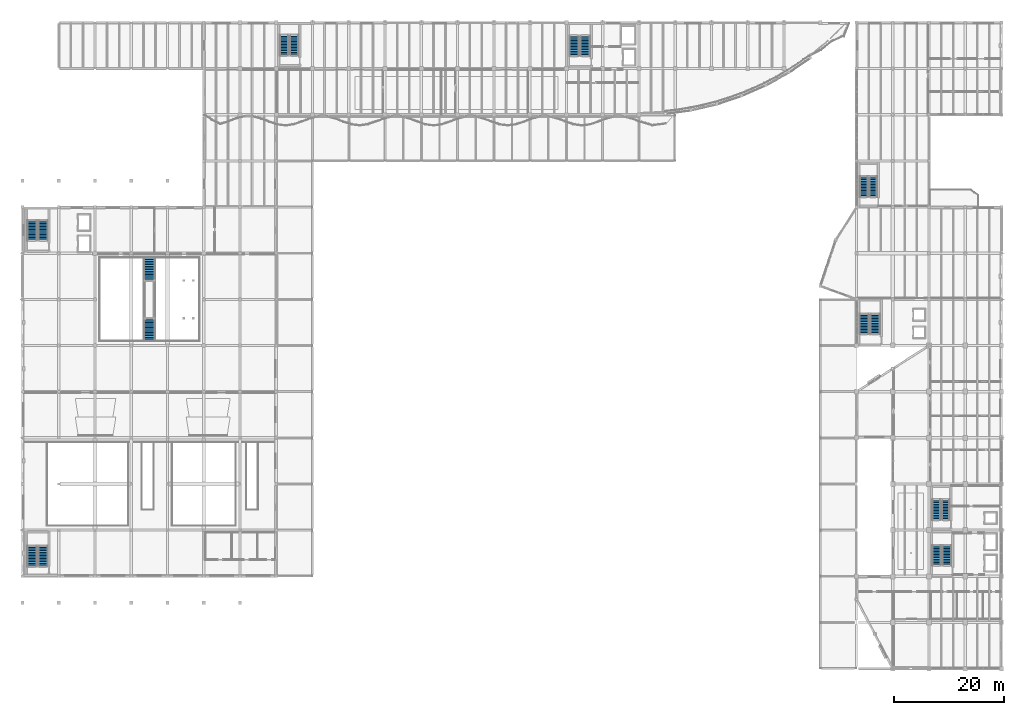
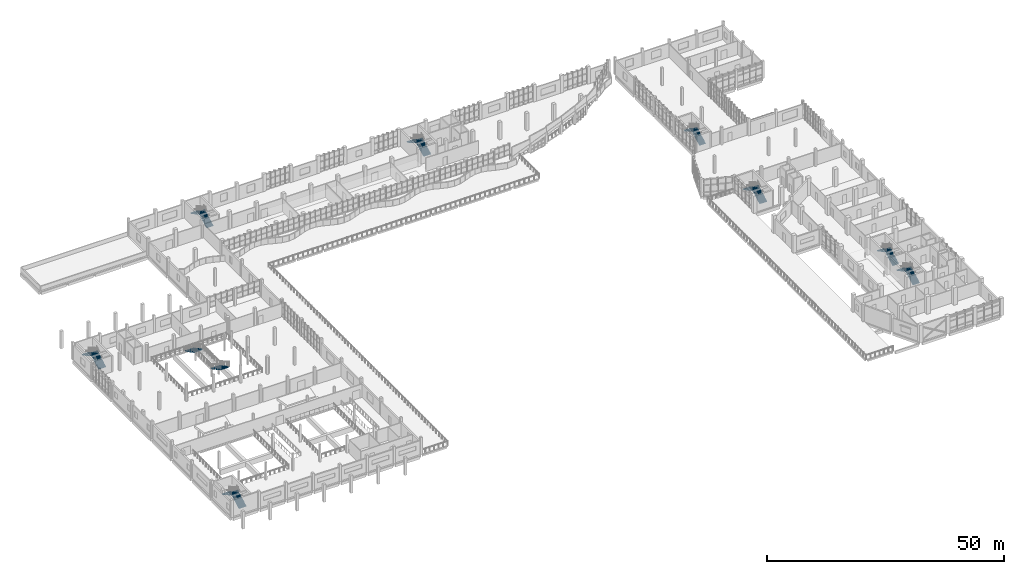
# One storey, part 60 of 83: 18 stair flights, 9 elements without a shape of their own.
"""IFC4 building model written with IfcOpenShell, lengths in metres."""

from ifc_helpers import new_model, si_unit, direction, frame, origin, place, context, subcontext, project, spatial, polyline, outline, extrude, material, type_object, element, aggregate, save


model = new_model("IFC4")

# Units and contexts
model_context = context("Model", 3, precision=1e-05, world=origin(), true_north=direction((0.0, 1.0)))
body_context = subcontext(model_context, "Body", "Model", "MODEL_VIEW")
ifc_project = project(units=[si_unit("LENGTHUNIT", "METRE"), si_unit("AREAUNIT", "SQUARE_METRE"), si_unit("VOLUMEUNIT", "CUBIC_METRE"), si_unit("PLANEANGLEUNIT", "RADIAN"), si_unit("MASSUNIT", "GRAM", prefix="KILO")], contexts=[model_context])

# Site, building, storey
site_placement = place(None, origin())
site = spatial("IfcSite", under=ifc_project, at=site_placement, CompositionType="ELEMENT")
building_placement = place(site_placement, origin())
building = spatial("IfcBuilding", under=site, at=building_placement, Name="Qaldarim Faculty of Natural and Applied Sciences", CompositionType="ELEMENT")
storey_placement = place(building_placement, frame((0.0, 0.0, 5.39990234375)))
storey = spatial("IfcBuildingStorey", under=building, at=storey_placement, Name="L01", CompositionType="ELEMENT", Elevation=5.39990234375)

# Stair, stair flights
ifc_material = material(Name="Concrete C40/50", Category="concrete")
stair_type_1 = type_object("IfcStairType", Name="FeatureStraightStair-W2100-H4500", PredefinedType="STRAIGHT_RUN_STAIR", material=ifc_material)
stair_1_placement = place(storey_placement, origin())
stair_1 = element("IfcStair", 1, at=stair_1_placement, inside=storey, type_object=stair_type_1, Name="Atrium monumental stair L01", PredefinedType="STRAIGHT_RUN_STAIR")
stair_flight_type_1 = type_object("IfcStairFlightType", Name="FeatureFlight-W2100-14R", PredefinedType="STRAIGHT", material=ifc_material)
stair_flight_1_placement = place(storey_placement, frame((23.10009765625, 74.715087890625, 0.0), z_axis=(0.0, 0.0, 1.0), x_axis=(0.0, -1.0, 0.0)))
stair_flight_1 = element("IfcStairFlight", 2, at=stair_flight_1_placement, type_object=stair_flight_type_1, Name="Atrium monumental stair L01 flight 1", NumberOfRisers=14, NumberOfTreads=13, PredefinedType="STRAIGHT", RiserHeight=0.160714, TreadLength=0.3, context=body_context, shape_type="SweptSolid", body=[
    extrude(outline(polyline([(0.0, 0.0), (0.0, 0.16064453125), (0.300048828125, 0.16064453125), (0.300048828125, 0.321533203125), (0.60009765625, 0.321533203125), (0.60009765625, 0.482177734375), (0.89990234375, 0.482177734375), (0.89990234375, 0.642822265625), (1.199951171875, 0.642822265625), (1.199951171875, 0.803466796875), (1.5, 0.803466796875), (1.5, 0.96435546875), (1.800048828125, 0.96435546875), (1.800048828125, 1.125), (2.10009765625, 1.125), (2.10009765625, 1.28564453125), (2.39990234375, 1.28564453125), (2.39990234375, 1.446533203125), (2.699951171875, 1.446533203125), (2.699951171875, 1.607177734375), (3.0, 1.607177734375), (3.0, 1.767822265625), (3.300048828125, 1.767822265625), (3.300048828125, 1.928466796875), (3.60009765625, 1.928466796875), (3.60009765625, 2.08935546875), (3.89990234375, 2.08935546875), (3.89990234375, 2.25), (3.89990234375, 1.88525390625), (0.381103515625, 0.0), (0.0, 0.0)])), frame((0.0, 1.050048828125, 0.0), z_axis=(0.0, -1.0, 0.0), x_axis=(1.0, 0.0, 0.0)), (0.0, 0.0, 1.0), 2.10009765625),
])
stair_flight_2_placement = place(storey_placement, frame((23.10009765625, 63.5849609375, 2.25), z_axis=(0.0, 0.0, 1.0), x_axis=(0.0, -1.0, 0.0)))
stair_flight_2 = element("IfcStairFlight", 3, at=stair_flight_2_placement, type_object=stair_flight_type_1, Name="Atrium monumental stair L01 flight 2", NumberOfRisers=14, NumberOfTreads=13, PredefinedType="STRAIGHT", RiserHeight=0.160714, TreadLength=0.3, context=body_context, shape_type="SweptSolid", body=[
    extrude(outline(polyline([(0.0, 0.0), (0.0, 0.16064453125), (0.300048828125, 0.16064453125), (0.300048828125, 0.321533203125), (0.60009765625, 0.321533203125), (0.60009765625, 0.482177734375), (0.89990234375, 0.482177734375), (0.89990234375, 0.642822265625), (1.199951171875, 0.642822265625), (1.199951171875, 0.803466796875), (1.5, 0.803466796875), (1.5, 0.96435546875), (1.800048828125, 0.96435546875), (1.800048828125, 1.125), (2.10009765625, 1.125), (2.10009765625, 1.28564453125), (2.39990234375, 1.28564453125), (2.39990234375, 1.446533203125), (2.699951171875, 1.446533203125), (2.699951171875, 1.607177734375), (3.0, 1.607177734375), (3.0, 1.767822265625), (3.300048828125, 1.767822265625), (3.300048828125, 1.928466796875), (3.60009765625, 1.928466796875), (3.60009765625, 2.08935546875), (3.89990234375, 2.08935546875), (3.89990234375, 2.25), (3.89990234375, 1.88525390625), (0.381103515625, 0.0), (0.0, 0.0)])), frame((0.0, 1.050048828125, 0.0), z_axis=(0.0, -1.0, 0.0), x_axis=(1.0, 0.0, 0.0)), (0.0, 0.0, 1.0), 2.10009765625),
])
aggregate(stair_1, [stair_flight_1, stair_flight_2])

stair_type_2 = type_object("IfcStairType", Name="DoglegStair-W1500-H4500-28R", PredefinedType="HALF_TURN_STAIR", material=ifc_material)
stair_2_placement = place(storey_placement, origin())
stair_2 = element("IfcStair", 4, at=stair_2_placement, inside=storey, type_object=stair_type_2, Name="Enclosed exit stair ST-A2 L01", PredefinedType="HALF_TURN_STAIR")
stair_flight_type_2 = type_object("IfcStairFlightType", Name="StairFlight-W1500-14R", PredefinedType="STRAIGHT", material=ifc_material)
stair_flight_3_placement = place(storey_placement, frame((168.050048828125, 27.050048828125, 0.0), z_axis=(0.0, 0.0, 1.0), x_axis=(0.0, 1.0, 0.0)))
stair_flight_3 = element("IfcStairFlight", 5, at=stair_flight_3_placement, type_object=stair_flight_type_2, Name="ST-A2 L01 flight 1", NumberOfRisers=14, NumberOfTreads=13, PredefinedType="STRAIGHT", RiserHeight=0.160714286, TreadLength=0.285, context=body_context, shape_type="SweptSolid", body=[
    extrude(outline(polyline([(0.0, 0.0), (0.0, 0.16064453125), (0.284912109375, 0.16064453125), (0.284912109375, 0.321533203125), (0.570068359375, 0.321533203125), (0.570068359375, 0.482177734375), (0.85498046875, 0.482177734375), (0.85498046875, 0.642822265625), (1.139892578125, 0.642822265625), (1.139892578125, 0.803466796875), (1.425048828125, 0.803466796875), (1.425048828125, 0.96435546875), (1.7099609375, 0.96435546875), (1.7099609375, 1.125), (1.9951171875, 1.125), (1.9951171875, 1.28564453125), (2.280029296875, 1.28564453125), (2.280029296875, 1.446533203125), (2.56494140625, 1.446533203125), (2.56494140625, 1.607177734375), (2.85009765625, 1.607177734375), (2.85009765625, 1.767822265625), (3.135009765625, 1.767822265625), (3.135009765625, 1.928466796875), (3.419921875, 1.928466796875), (3.419921875, 2.08935546875), (3.705078125, 2.08935546875), (3.705078125, 2.25), (3.705078125, 1.917236328125), (0.30517578125, 0.0), (0.0, 0.0)])), frame((0.0, 0.75, 0.0), z_axis=(0.0, -1.0, 0.0), x_axis=(1.0, 0.0, 0.0)), (0.0, 0.0, 1.0), 1.5),
])
stair_flight_4_placement = place(storey_placement, frame((166.35009765625, 30.7548828125, 2.25), z_axis=(0.0, 0.0, 1.0), x_axis=(0.0, -1.0, 0.0)))
stair_flight_4 = element("IfcStairFlight", 6, at=stair_flight_4_placement, type_object=stair_flight_type_2, Name="ST-A2 L01 flight 2", NumberOfRisers=14, NumberOfTreads=13, PredefinedType="STRAIGHT", RiserHeight=0.160714286, TreadLength=0.285, context=body_context, shape_type="SweptSolid", body=[
    extrude(outline(polyline([(0.0, 0.0), (0.0, 0.16064453125), (0.284912109375, 0.16064453125), (0.284912109375, 0.321533203125), (0.570068359375, 0.321533203125), (0.570068359375, 0.482177734375), (0.85498046875, 0.482177734375), (0.85498046875, 0.642822265625), (1.139892578125, 0.642822265625), (1.139892578125, 0.803466796875), (1.425048828125, 0.803466796875), (1.425048828125, 0.96435546875), (1.7099609375, 0.96435546875), (1.7099609375, 1.125), (1.9951171875, 1.125), (1.9951171875, 1.28564453125), (2.280029296875, 1.28564453125), (2.280029296875, 1.446533203125), (2.56494140625, 1.446533203125), (2.56494140625, 1.607177734375), (2.85009765625, 1.607177734375), (2.85009765625, 1.767822265625), (3.135009765625, 1.767822265625), (3.135009765625, 1.928466796875), (3.419921875, 1.928466796875), (3.419921875, 2.08935546875), (3.705078125, 2.08935546875), (3.705078125, 2.25), (3.705078125, 1.917236328125), (0.30517578125, 0.0), (0.0, 0.0)])), frame((0.0, 0.75, 0.0), z_axis=(0.0, -1.0, 0.0), x_axis=(1.0, 0.0, 0.0)), (0.0, 0.0, 1.0), 1.5),
])
aggregate(stair_2, [stair_flight_3, stair_flight_4])

stair_3_placement = place(storey_placement, origin())
stair_3 = element("IfcStair", 7, at=stair_3_placement, inside=storey, type_object=stair_type_2, Name="Enclosed exit stair ST-C2 L01", PredefinedType="HALF_TURN_STAIR")
stair_flight_5_placement = place(storey_placement, frame((154.85009765625, 85.85009765625, 0.0), z_axis=(0.0, 0.0, 1.0), x_axis=(0.0, 1.0, 0.0)))
stair_flight_5 = element("IfcStairFlight", 8, at=stair_flight_5_placement, type_object=stair_flight_type_2, Name="ST-C2 L01 flight 1", NumberOfRisers=14, NumberOfTreads=13, PredefinedType="STRAIGHT", RiserHeight=0.160714286, TreadLength=0.285, context=body_context, shape_type="SweptSolid", body=[
    extrude(outline(polyline([(0.0, 0.0), (0.0, 0.16064453125), (0.284912109375, 0.16064453125), (0.284912109375, 0.321533203125), (0.570068359375, 0.321533203125), (0.570068359375, 0.482177734375), (0.85498046875, 0.482177734375), (0.85498046875, 0.642822265625), (1.139892578125, 0.642822265625), (1.139892578125, 0.803466796875), (1.425048828125, 0.803466796875), (1.425048828125, 0.96435546875), (1.7099609375, 0.96435546875), (1.7099609375, 1.125), (1.9951171875, 1.125), (1.9951171875, 1.28564453125), (2.280029296875, 1.28564453125), (2.280029296875, 1.446533203125), (2.56494140625, 1.446533203125), (2.56494140625, 1.607177734375), (2.85009765625, 1.607177734375), (2.85009765625, 1.767822265625), (3.135009765625, 1.767822265625), (3.135009765625, 1.928466796875), (3.419921875, 1.928466796875), (3.419921875, 2.08935546875), (3.705078125, 2.08935546875), (3.705078125, 2.25), (3.705078125, 1.917236328125), (0.30517578125, 0.0), (0.0, 0.0)])), frame((0.0, 0.75, 0.0), z_axis=(0.0, -1.0, 0.0), x_axis=(1.0, 0.0, 0.0)), (0.0, 0.0, 1.0), 1.5),
])
stair_flight_6_placement = place(storey_placement, frame((153.14990234375, 89.554931640625, 2.25), z_axis=(0.0, 0.0, 1.0), x_axis=(0.0, -1.0, 0.0)))
stair_flight_6 = element("IfcStairFlight", 9, at=stair_flight_6_placement, type_object=stair_flight_type_2, Name="ST-C2 L01 flight 2", NumberOfRisers=14, NumberOfTreads=13, PredefinedType="STRAIGHT", RiserHeight=0.160714286, TreadLength=0.285, context=body_context, shape_type="SweptSolid", body=[
    extrude(outline(polyline([(0.0, 0.0), (0.0, 0.16064453125), (0.284912109375, 0.16064453125), (0.284912109375, 0.321533203125), (0.570068359375, 0.321533203125), (0.570068359375, 0.482177734375), (0.85498046875, 0.482177734375), (0.85498046875, 0.642822265625), (1.139892578125, 0.642822265625), (1.139892578125, 0.803466796875), (1.425048828125, 0.803466796875), (1.425048828125, 0.96435546875), (1.7099609375, 0.96435546875), (1.7099609375, 1.125), (1.9951171875, 1.125), (1.9951171875, 1.28564453125), (2.280029296875, 1.28564453125), (2.280029296875, 1.446533203125), (2.56494140625, 1.446533203125), (2.56494140625, 1.607177734375), (2.85009765625, 1.607177734375), (2.85009765625, 1.767822265625), (3.135009765625, 1.767822265625), (3.135009765625, 1.928466796875), (3.419921875, 1.928466796875), (3.419921875, 2.08935546875), (3.705078125, 2.08935546875), (3.705078125, 2.25), (3.705078125, 1.917236328125), (0.30517578125, 0.0), (0.0, 0.0)])), frame((0.0, 0.75, 0.0), z_axis=(0.0, -1.0, 0.0), x_axis=(1.0, 0.0, 0.0)), (0.0, 0.0, 1.0), 1.5),
])
aggregate(stair_3, [stair_flight_5, stair_flight_6])

stair_type_3 = type_object("IfcStairType", Name="DoglegStair-W1650-H4500-28R", PredefinedType="HALF_TURN_STAIR", material=ifc_material)
stair_4_placement = place(storey_placement, origin())
stair_4 = element("IfcStair", 10, at=stair_4_placement, inside=storey, type_object=stair_type_3, Name="Enclosed exit stair ST-A1 L01", PredefinedType="HALF_TURN_STAIR")
stair_flight_type_3 = type_object("IfcStairFlightType", Name="StairFlight-W1650-14R", PredefinedType="STRAIGHT", material=ifc_material)
stair_flight_7_placement = place(storey_placement, frame((168.27490234375, 18.75, 0.0), z_axis=(0.0, 0.0, 1.0), x_axis=(0.0, 1.0, 0.0)))
stair_flight_7 = element("IfcStairFlight", 11, at=stair_flight_7_placement, type_object=stair_flight_type_3, Name="ST-A1 L01 flight 1", NumberOfRisers=14, NumberOfTreads=13, PredefinedType="STRAIGHT", RiserHeight=0.160714286, TreadLength=0.285, context=body_context, shape_type="SweptSolid", body=[
    extrude(outline(polyline([(0.0, 0.0), (0.0, 0.16064453125), (0.284912109375, 0.16064453125), (0.284912109375, 0.321533203125), (0.570068359375, 0.321533203125), (0.570068359375, 0.482177734375), (0.85498046875, 0.482177734375), (0.85498046875, 0.642822265625), (1.139892578125, 0.642822265625), (1.139892578125, 0.803466796875), (1.425048828125, 0.803466796875), (1.425048828125, 0.96435546875), (1.7099609375, 0.96435546875), (1.7099609375, 1.125), (1.9951171875, 1.125), (1.9951171875, 1.28564453125), (2.280029296875, 1.28564453125), (2.280029296875, 1.446533203125), (2.56494140625, 1.446533203125), (2.56494140625, 1.607177734375), (2.85009765625, 1.607177734375), (2.85009765625, 1.767822265625), (3.135009765625, 1.767822265625), (3.135009765625, 1.928466796875), (3.419921875, 1.928466796875), (3.419921875, 2.08935546875), (3.705078125, 2.08935546875), (3.705078125, 2.25), (3.705078125, 1.917236328125), (0.30517578125, 0.0), (0.0, 0.0)])), frame((0.0, 0.824951171875, 0.0), z_axis=(0.0, -1.0, 0.0), x_axis=(1.0, 0.0, 0.0)), (0.0, 0.0, 1.0), 1.64990234375),
])
stair_flight_8_placement = place(storey_placement, frame((166.425048828125, 22.455078125, 2.25), z_axis=(0.0, 0.0, 1.0), x_axis=(0.0, -1.0, 0.0)))
stair_flight_8 = element("IfcStairFlight", 12, at=stair_flight_8_placement, type_object=stair_flight_type_3, Name="ST-A1 L01 flight 2", NumberOfRisers=14, NumberOfTreads=13, PredefinedType="STRAIGHT", RiserHeight=0.160714286, TreadLength=0.285, context=body_context, shape_type="SweptSolid", body=[
    extrude(outline(polyline([(0.0, 0.0), (0.0, 0.16064453125), (0.284912109375, 0.16064453125), (0.284912109375, 0.321533203125), (0.570068359375, 0.321533203125), (0.570068359375, 0.482177734375), (0.85498046875, 0.482177734375), (0.85498046875, 0.642822265625), (1.139892578125, 0.642822265625), (1.139892578125, 0.803466796875), (1.425048828125, 0.803466796875), (1.425048828125, 0.96435546875), (1.7099609375, 0.96435546875), (1.7099609375, 1.125), (1.9951171875, 1.125), (1.9951171875, 1.28564453125), (2.280029296875, 1.28564453125), (2.280029296875, 1.446533203125), (2.56494140625, 1.446533203125), (2.56494140625, 1.607177734375), (2.85009765625, 1.607177734375), (2.85009765625, 1.767822265625), (3.135009765625, 1.767822265625), (3.135009765625, 1.928466796875), (3.419921875, 1.928466796875), (3.419921875, 2.08935546875), (3.705078125, 2.08935546875), (3.705078125, 2.25), (3.705078125, 1.917236328125), (0.30517578125, 0.0), (0.0, 0.0)])), frame((0.0, 0.824951171875, 0.0), z_axis=(0.0, -1.0, 0.0), x_axis=(1.0, 0.0, 0.0)), (0.0, 0.0, 1.0), 1.64990234375),
])
aggregate(stair_4, [stair_flight_7, stair_flight_8])

stair_5_placement = place(storey_placement, origin())
stair_5 = element("IfcStair", 13, at=stair_5_placement, inside=storey, type_object=stair_type_3, Name="Enclosed exit stair ST-B2 L01", PredefinedType="HALF_TURN_STAIR")
stair_flight_9_placement = place(storey_placement, frame((49.47509765625, 111.60009765625, 0.0), z_axis=(0.0, 0.0, 1.0), x_axis=(0.0, 1.0, 0.0)))
stair_flight_9 = element("IfcStairFlight", 14, at=stair_flight_9_placement, type_object=stair_flight_type_3, Name="ST-B2 L01 flight 1", NumberOfRisers=14, NumberOfTreads=13, PredefinedType="STRAIGHT", RiserHeight=0.160714286, TreadLength=0.285, context=body_context, shape_type="SweptSolid", body=[
    extrude(outline(polyline([(0.0, 0.0), (0.0, 0.16064453125), (0.284912109375, 0.16064453125), (0.284912109375, 0.321533203125), (0.570068359375, 0.321533203125), (0.570068359375, 0.482177734375), (0.85498046875, 0.482177734375), (0.85498046875, 0.642822265625), (1.139892578125, 0.642822265625), (1.139892578125, 0.803466796875), (1.425048828125, 0.803466796875), (1.425048828125, 0.96435546875), (1.7099609375, 0.96435546875), (1.7099609375, 1.125), (1.9951171875, 1.125), (1.9951171875, 1.28564453125), (2.280029296875, 1.28564453125), (2.280029296875, 1.446533203125), (2.56494140625, 1.446533203125), (2.56494140625, 1.607177734375), (2.85009765625, 1.607177734375), (2.85009765625, 1.767822265625), (3.135009765625, 1.767822265625), (3.135009765625, 1.928466796875), (3.419921875, 1.928466796875), (3.419921875, 2.08935546875), (3.705078125, 2.08935546875), (3.705078125, 2.25), (3.705078125, 1.917236328125), (0.30517578125, 0.0), (0.0, 0.0)])), frame((0.0, 0.824951171875, 0.0), z_axis=(0.0, -1.0, 0.0), x_axis=(1.0, 0.0, 0.0)), (0.0, 0.0, 1.0), 1.64990234375),
])
stair_flight_10_placement = place(storey_placement, frame((47.625, 115.304931640625, 2.25), z_axis=(0.0, 0.0, 1.0), x_axis=(0.0, -1.0, 0.0)))
stair_flight_10 = element("IfcStairFlight", 15, at=stair_flight_10_placement, type_object=stair_flight_type_3, Name="ST-B2 L01 flight 2", NumberOfRisers=14, NumberOfTreads=13, PredefinedType="STRAIGHT", RiserHeight=0.160714286, TreadLength=0.285, context=body_context, shape_type="SweptSolid", body=[
    extrude(outline(polyline([(0.0, 0.0), (0.0, 0.16064453125), (0.284912109375, 0.16064453125), (0.284912109375, 0.321533203125), (0.570068359375, 0.321533203125), (0.570068359375, 0.482177734375), (0.85498046875, 0.482177734375), (0.85498046875, 0.642822265625), (1.139892578125, 0.642822265625), (1.139892578125, 0.803466796875), (1.425048828125, 0.803466796875), (1.425048828125, 0.96435546875), (1.7099609375, 0.96435546875), (1.7099609375, 1.125), (1.9951171875, 1.125), (1.9951171875, 1.28564453125), (2.280029296875, 1.28564453125), (2.280029296875, 1.446533203125), (2.56494140625, 1.446533203125), (2.56494140625, 1.607177734375), (2.85009765625, 1.607177734375), (2.85009765625, 1.767822265625), (3.135009765625, 1.767822265625), (3.135009765625, 1.928466796875), (3.419921875, 1.928466796875), (3.419921875, 2.08935546875), (3.705078125, 2.08935546875), (3.705078125, 2.25), (3.705078125, 1.917236328125), (0.30517578125, 0.0), (0.0, 0.0)])), frame((0.0, 0.824951171875, 0.0), z_axis=(0.0, -1.0, 0.0), x_axis=(1.0, 0.0, 0.0)), (0.0, 0.0, 1.0), 1.64990234375),
])
aggregate(stair_5, [stair_flight_9, stair_flight_10])

stair_type_4 = type_object("IfcStairType", Name="DoglegStair-W1800-H4500-28R", PredefinedType="HALF_TURN_STAIR", material=ifc_material)
stair_6_placement = place(storey_placement, origin())
stair_6 = element("IfcStair", 16, at=stair_6_placement, inside=storey, type_object=stair_type_4, Name="Enclosed exit stair ST-B1 L01", PredefinedType="HALF_TURN_STAIR")
stair_flight_type_4 = type_object("IfcStairFlightType", Name="StairFlight-W1800-14R", PredefinedType="STRAIGHT", material=ifc_material)
stair_flight_11_placement = place(storey_placement, frame((102.449951171875, 111.5, 0.0), z_axis=(0.0, 0.0, 1.0), x_axis=(0.0, 1.0, 0.0)))
stair_flight_11 = element("IfcStairFlight", 17, at=stair_flight_11_placement, type_object=stair_flight_type_4, Name="ST-B1 L01 flight 1", NumberOfRisers=14, NumberOfTreads=13, PredefinedType="STRAIGHT", RiserHeight=0.160714286, TreadLength=0.285, context=body_context, shape_type="SweptSolid", body=[
    extrude(outline(polyline([(0.0, 0.0), (0.0, 0.16064453125), (0.284912109375, 0.16064453125), (0.284912109375, 0.321533203125), (0.570068359375, 0.321533203125), (0.570068359375, 0.482177734375), (0.85498046875, 0.482177734375), (0.85498046875, 0.642822265625), (1.139892578125, 0.642822265625), (1.139892578125, 0.803466796875), (1.425048828125, 0.803466796875), (1.425048828125, 0.96435546875), (1.7099609375, 0.96435546875), (1.7099609375, 1.125), (1.9951171875, 1.125), (1.9951171875, 1.28564453125), (2.280029296875, 1.28564453125), (2.280029296875, 1.446533203125), (2.56494140625, 1.446533203125), (2.56494140625, 1.607177734375), (2.85009765625, 1.607177734375), (2.85009765625, 1.767822265625), (3.135009765625, 1.767822265625), (3.135009765625, 1.928466796875), (3.419921875, 1.928466796875), (3.419921875, 2.08935546875), (3.705078125, 2.08935546875), (3.705078125, 2.25), (3.705078125, 1.917236328125), (0.30517578125, 0.0), (0.0, 0.0)])), frame((0.0, 0.89990234375, 0.0), z_axis=(0.0, -1.0, 0.0), x_axis=(1.0, 0.0, 0.0)), (0.0, 0.0, 1.0), 1.800048828125),
])
stair_flight_12_placement = place(storey_placement, frame((100.449951171875, 115.205078125, 2.25), z_axis=(0.0, 0.0, 1.0), x_axis=(0.0, -1.0, 0.0)))
stair_flight_12 = element("IfcStairFlight", 18, at=stair_flight_12_placement, type_object=stair_flight_type_4, Name="ST-B1 L01 flight 2", NumberOfRisers=14, NumberOfTreads=13, PredefinedType="STRAIGHT", RiserHeight=0.160714286, TreadLength=0.285, context=body_context, shape_type="SweptSolid", body=[
    extrude(outline(polyline([(0.0, 0.0), (0.0, 0.16064453125), (0.284912109375, 0.16064453125), (0.284912109375, 0.321533203125), (0.570068359375, 0.321533203125), (0.570068359375, 0.482177734375), (0.85498046875, 0.482177734375), (0.85498046875, 0.642822265625), (1.139892578125, 0.642822265625), (1.139892578125, 0.803466796875), (1.425048828125, 0.803466796875), (1.425048828125, 0.96435546875), (1.7099609375, 0.96435546875), (1.7099609375, 1.125), (1.9951171875, 1.125), (1.9951171875, 1.28564453125), (2.280029296875, 1.28564453125), (2.280029296875, 1.446533203125), (2.56494140625, 1.446533203125), (2.56494140625, 1.607177734375), (2.85009765625, 1.607177734375), (2.85009765625, 1.767822265625), (3.135009765625, 1.767822265625), (3.135009765625, 1.928466796875), (3.419921875, 1.928466796875), (3.419921875, 2.08935546875), (3.705078125, 2.08935546875), (3.705078125, 2.25), (3.705078125, 1.917236328125), (0.30517578125, 0.0), (0.0, 0.0)])), frame((0.0, 0.89990234375, 0.0), z_axis=(0.0, -1.0, 0.0), x_axis=(1.0, 0.0, 0.0)), (0.0, 0.0, 1.0), 1.800048828125),
])
aggregate(stair_6, [stair_flight_11, stair_flight_12])

stair_7_placement = place(storey_placement, origin())
stair_7 = element("IfcStair", 19, at=stair_7_placement, inside=storey, type_object=stair_type_4, Name="Enclosed exit stair ST-C1 L01", PredefinedType="HALF_TURN_STAIR")
stair_flight_13_placement = place(storey_placement, frame((155.25, 60.85009765625, 0.0), z_axis=(0.0, 0.0, 1.0), x_axis=(0.0, 1.0, 0.0)))
stair_flight_13 = element("IfcStairFlight", 20, at=stair_flight_13_placement, type_object=stair_flight_type_4, Name="ST-C1 L01 flight 1", NumberOfRisers=14, NumberOfTreads=13, PredefinedType="STRAIGHT", RiserHeight=0.160714286, TreadLength=0.285, context=body_context, shape_type="SweptSolid", body=[
    extrude(outline(polyline([(0.0, 0.0), (0.0, 0.16064453125), (0.284912109375, 0.16064453125), (0.284912109375, 0.321533203125), (0.570068359375, 0.321533203125), (0.570068359375, 0.482177734375), (0.85498046875, 0.482177734375), (0.85498046875, 0.642822265625), (1.139892578125, 0.642822265625), (1.139892578125, 0.803466796875), (1.425048828125, 0.803466796875), (1.425048828125, 0.96435546875), (1.7099609375, 0.96435546875), (1.7099609375, 1.125), (1.9951171875, 1.125), (1.9951171875, 1.28564453125), (2.280029296875, 1.28564453125), (2.280029296875, 1.446533203125), (2.56494140625, 1.446533203125), (2.56494140625, 1.607177734375), (2.85009765625, 1.607177734375), (2.85009765625, 1.767822265625), (3.135009765625, 1.767822265625), (3.135009765625, 1.928466796875), (3.419921875, 1.928466796875), (3.419921875, 2.08935546875), (3.705078125, 2.08935546875), (3.705078125, 2.25), (3.705078125, 1.917236328125), (0.30517578125, 0.0), (0.0, 0.0)])), frame((0.0, 0.89990234375, 0.0), z_axis=(0.0, -1.0, 0.0), x_axis=(1.0, 0.0, 0.0)), (0.0, 0.0, 1.0), 1.800048828125),
])
stair_flight_14_placement = place(storey_placement, frame((153.25, 64.554931640625, 2.25), z_axis=(0.0, 0.0, 1.0), x_axis=(0.0, -1.0, 0.0)))
stair_flight_14 = element("IfcStairFlight", 21, at=stair_flight_14_placement, type_object=stair_flight_type_4, Name="ST-C1 L01 flight 2", NumberOfRisers=14, NumberOfTreads=13, PredefinedType="STRAIGHT", RiserHeight=0.160714286, TreadLength=0.285, context=body_context, shape_type="SweptSolid", body=[
    extrude(outline(polyline([(0.0, 0.0), (0.0, 0.16064453125), (0.284912109375, 0.16064453125), (0.284912109375, 0.321533203125), (0.570068359375, 0.321533203125), (0.570068359375, 0.482177734375), (0.85498046875, 0.482177734375), (0.85498046875, 0.642822265625), (1.139892578125, 0.642822265625), (1.139892578125, 0.803466796875), (1.425048828125, 0.803466796875), (1.425048828125, 0.96435546875), (1.7099609375, 0.96435546875), (1.7099609375, 1.125), (1.9951171875, 1.125), (1.9951171875, 1.28564453125), (2.280029296875, 1.28564453125), (2.280029296875, 1.446533203125), (2.56494140625, 1.446533203125), (2.56494140625, 1.607177734375), (2.85009765625, 1.607177734375), (2.85009765625, 1.767822265625), (3.135009765625, 1.767822265625), (3.135009765625, 1.928466796875), (3.419921875, 1.928466796875), (3.419921875, 2.08935546875), (3.705078125, 2.08935546875), (3.705078125, 2.25), (3.705078125, 1.917236328125), (0.30517578125, 0.0), (0.0, 0.0)])), frame((0.0, 0.89990234375, 0.0), z_axis=(0.0, -1.0, 0.0), x_axis=(1.0, 0.0, 0.0)), (0.0, 0.0, 1.0), 1.800048828125),
])
aggregate(stair_7, [stair_flight_13, stair_flight_14])

stair_8_placement = place(storey_placement, origin())
stair_8 = element("IfcStair", 22, at=stair_8_placement, inside=storey, type_object=stair_type_4, Name="Enclosed exit stair ST-D1 L01", PredefinedType="HALF_TURN_STAIR")
stair_flight_15_placement = place(storey_placement, frame((3.75, 18.60009765625, 0.0), z_axis=(0.0, 0.0, 1.0), x_axis=(0.0, 1.0, 0.0)))
stair_flight_15 = element("IfcStairFlight", 23, at=stair_flight_15_placement, type_object=stair_flight_type_4, Name="ST-D1 L01 flight 1", NumberOfRisers=14, NumberOfTreads=13, PredefinedType="STRAIGHT", RiserHeight=0.160714286, TreadLength=0.285, context=body_context, shape_type="SweptSolid", body=[
    extrude(outline(polyline([(0.0, 0.0), (0.0, 0.16064453125), (0.284912109375, 0.16064453125), (0.284912109375, 0.321533203125), (0.570068359375, 0.321533203125), (0.570068359375, 0.482177734375), (0.85498046875, 0.482177734375), (0.85498046875, 0.642822265625), (1.139892578125, 0.642822265625), (1.139892578125, 0.803466796875), (1.425048828125, 0.803466796875), (1.425048828125, 0.96435546875), (1.7099609375, 0.96435546875), (1.7099609375, 1.125), (1.9951171875, 1.125), (1.9951171875, 1.28564453125), (2.280029296875, 1.28564453125), (2.280029296875, 1.446533203125), (2.56494140625, 1.446533203125), (2.56494140625, 1.607177734375), (2.85009765625, 1.607177734375), (2.85009765625, 1.767822265625), (3.135009765625, 1.767822265625), (3.135009765625, 1.928466796875), (3.419921875, 1.928466796875), (3.419921875, 2.08935546875), (3.705078125, 2.08935546875), (3.705078125, 2.25), (3.705078125, 1.917236328125), (0.30517578125, 0.0), (0.0, 0.0)])), frame((0.0, 0.89990234375, 0.0), z_axis=(0.0, -1.0, 0.0), x_axis=(1.0, 0.0, 0.0)), (0.0, 0.0, 1.0), 1.800048828125),
])
stair_flight_16_placement = place(storey_placement, frame((1.75, 22.304931640625, 2.25), z_axis=(0.0, 0.0, 1.0), x_axis=(0.0, -1.0, 0.0)))
stair_flight_16 = element("IfcStairFlight", 24, at=stair_flight_16_placement, type_object=stair_flight_type_4, Name="ST-D1 L01 flight 2", NumberOfRisers=14, NumberOfTreads=13, PredefinedType="STRAIGHT", RiserHeight=0.160714286, TreadLength=0.285, context=body_context, shape_type="SweptSolid", body=[
    extrude(outline(polyline([(0.0, 0.0), (0.0, 0.16064453125), (0.284912109375, 0.16064453125), (0.284912109375, 0.321533203125), (0.570068359375, 0.321533203125), (0.570068359375, 0.482177734375), (0.85498046875, 0.482177734375), (0.85498046875, 0.642822265625), (1.139892578125, 0.642822265625), (1.139892578125, 0.803466796875), (1.425048828125, 0.803466796875), (1.425048828125, 0.96435546875), (1.7099609375, 0.96435546875), (1.7099609375, 1.125), (1.9951171875, 1.125), (1.9951171875, 1.28564453125), (2.280029296875, 1.28564453125), (2.280029296875, 1.446533203125), (2.56494140625, 1.446533203125), (2.56494140625, 1.607177734375), (2.85009765625, 1.607177734375), (2.85009765625, 1.767822265625), (3.135009765625, 1.767822265625), (3.135009765625, 1.928466796875), (3.419921875, 1.928466796875), (3.419921875, 2.08935546875), (3.705078125, 2.08935546875), (3.705078125, 2.25), (3.705078125, 1.917236328125), (0.30517578125, 0.0), (0.0, 0.0)])), frame((0.0, 0.89990234375, 0.0), z_axis=(0.0, -1.0, 0.0), x_axis=(1.0, 0.0, 0.0)), (0.0, 0.0, 1.0), 1.800048828125),
])
aggregate(stair_8, [stair_flight_15, stair_flight_16])

stair_9_placement = place(storey_placement, origin())
stair_9 = element("IfcStair", 25, at=stair_9_placement, inside=storey, type_object=stair_type_4, Name="Enclosed exit stair ST-D2 L01", PredefinedType="HALF_TURN_STAIR")
stair_flight_17_placement = place(storey_placement, frame((3.75, 77.89990234375, 0.0), z_axis=(0.0, 0.0, 1.0), x_axis=(0.0, 1.0, 0.0)))
stair_flight_17 = element("IfcStairFlight", 26, at=stair_flight_17_placement, type_object=stair_flight_type_4, Name="ST-D2 L01 flight 1", NumberOfRisers=14, NumberOfTreads=13, PredefinedType="STRAIGHT", RiserHeight=0.160714286, TreadLength=0.285, context=body_context, shape_type="SweptSolid", body=[
    extrude(outline(polyline([(0.0, 0.0), (0.0, 0.16064453125), (0.284912109375, 0.16064453125), (0.284912109375, 0.321533203125), (0.570068359375, 0.321533203125), (0.570068359375, 0.482177734375), (0.85498046875, 0.482177734375), (0.85498046875, 0.642822265625), (1.139892578125, 0.642822265625), (1.139892578125, 0.803466796875), (1.425048828125, 0.803466796875), (1.425048828125, 0.96435546875), (1.7099609375, 0.96435546875), (1.7099609375, 1.125), (1.9951171875, 1.125), (1.9951171875, 1.28564453125), (2.280029296875, 1.28564453125), (2.280029296875, 1.446533203125), (2.56494140625, 1.446533203125), (2.56494140625, 1.607177734375), (2.85009765625, 1.607177734375), (2.85009765625, 1.767822265625), (3.135009765625, 1.767822265625), (3.135009765625, 1.928466796875), (3.419921875, 1.928466796875), (3.419921875, 2.08935546875), (3.705078125, 2.08935546875), (3.705078125, 2.25), (3.705078125, 1.917236328125), (0.30517578125, 0.0), (0.0, 0.0)])), frame((0.0, 0.89990234375, 0.0), z_axis=(0.0, -1.0, 0.0), x_axis=(1.0, 0.0, 0.0)), (0.0, 0.0, 1.0), 1.800048828125),
])
stair_flight_18_placement = place(storey_placement, frame((1.75, 81.60498046875, 2.25), z_axis=(0.0, 0.0, 1.0), x_axis=(0.0, -1.0, 0.0)))
stair_flight_18 = element("IfcStairFlight", 27, at=stair_flight_18_placement, type_object=stair_flight_type_4, Name="ST-D2 L01 flight 2", NumberOfRisers=14, NumberOfTreads=13, PredefinedType="STRAIGHT", RiserHeight=0.160714286, TreadLength=0.285, context=body_context, shape_type="SweptSolid", body=[
    extrude(outline(polyline([(0.0, 0.0), (0.0, 0.16064453125), (0.284912109375, 0.16064453125), (0.284912109375, 0.321533203125), (0.570068359375, 0.321533203125), (0.570068359375, 0.482177734375), (0.85498046875, 0.482177734375), (0.85498046875, 0.642822265625), (1.139892578125, 0.642822265625), (1.139892578125, 0.803466796875), (1.425048828125, 0.803466796875), (1.425048828125, 0.96435546875), (1.7099609375, 0.96435546875), (1.7099609375, 1.125), (1.9951171875, 1.125), (1.9951171875, 1.28564453125), (2.280029296875, 1.28564453125), (2.280029296875, 1.446533203125), (2.56494140625, 1.446533203125), (2.56494140625, 1.607177734375), (2.85009765625, 1.607177734375), (2.85009765625, 1.767822265625), (3.135009765625, 1.767822265625), (3.135009765625, 1.928466796875), (3.419921875, 1.928466796875), (3.419921875, 2.08935546875), (3.705078125, 2.08935546875), (3.705078125, 2.25), (3.705078125, 1.917236328125), (0.30517578125, 0.0), (0.0, 0.0)])), frame((0.0, 0.89990234375, 0.0), z_axis=(0.0, -1.0, 0.0), x_axis=(1.0, 0.0, 0.0)), (0.0, 0.0, 1.0), 1.800048828125),
])
aggregate(stair_9, [stair_flight_17, stair_flight_18])

save(model, "model.ifc")
